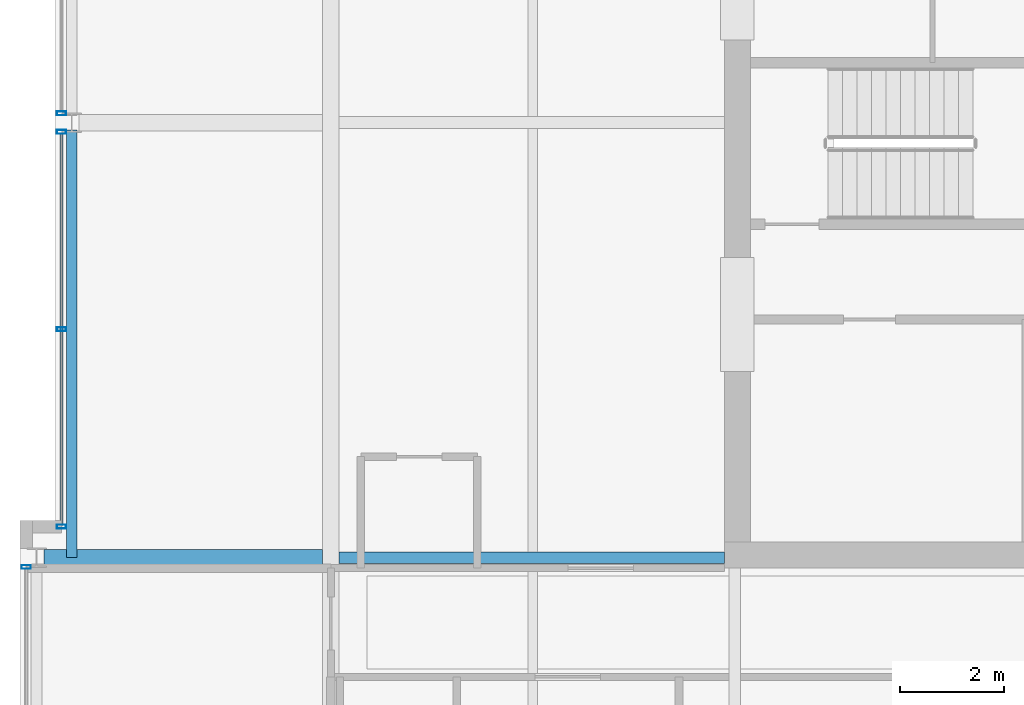
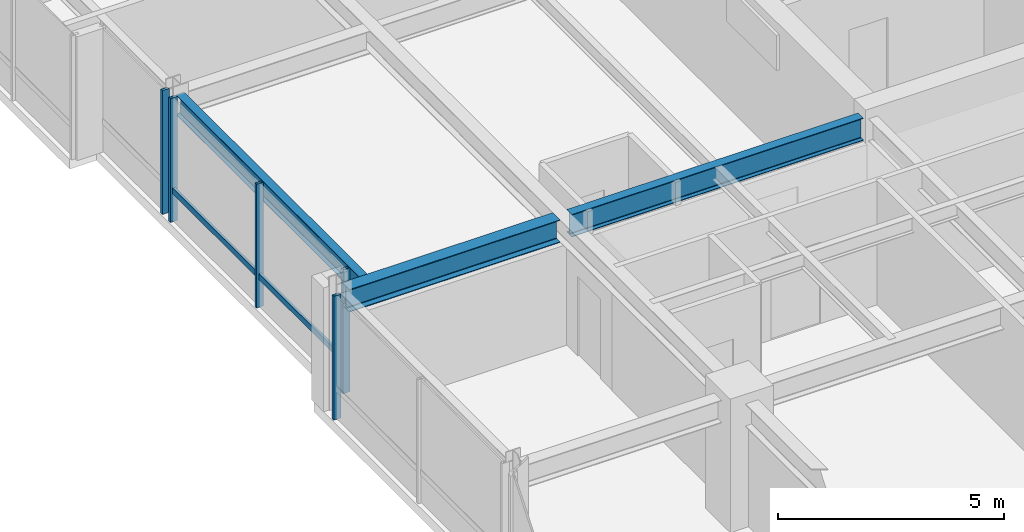
# One storey, part 10 of 31: 6 members, 3 beams, 3 elements without a shape of their own.
"""IFC4 building model written with IfcOpenShell, lengths in metres."""

from ifc_helpers import new_model, si_unit, direction, frame, origin, origin_2d, place, context, subcontext, project, spatial, hollow_rectangle, i_section, extrude, material, layer, layer_set, material_profile, profile_set, type_object, element, aggregate, save


model = new_model("IFC4")

# Units and contexts
model_context = context("Model", 3, precision=1e-05, world=origin(), true_north=direction((0.0, 1.0)))
body_context = subcontext(model_context, "Body", "Model", "MODEL_VIEW")
ifc_project = project(units=[si_unit("LENGTHUNIT", "METRE"), si_unit("AREAUNIT", "SQUARE_METRE"), si_unit("VOLUMEUNIT", "CUBIC_METRE"), si_unit("PLANEANGLEUNIT", "RADIAN"), si_unit("MASSUNIT", "GRAM", prefix="KILO")], contexts=[model_context])

# Site, building, storey
site_placement = place(None, origin())
site = spatial("IfcSite", under=ifc_project, at=site_placement, CompositionType="ELEMENT")
building_placement = place(site_placement, origin())
building = spatial("IfcBuilding", under=site, at=building_placement, Name="Drelvath Grand Hotel", CompositionType="ELEMENT")
storey_placement = place(building_placement, frame((0.0, 0.0, 244.699951171875)))
storey = spatial("IfcBuildingStorey", under=building, at=storey_placement, Name="L64", CompositionType="ELEMENT", Elevation=244.699951171875)

# Curtain wall, member
ifc_material_1 = material(Name="Platinum-Mist Anodised Aluminium Frame", Category="aluminium")
ifc_layer = layer(ifc_material_1, 0.199951171875)
ifc_layer_set = layer_set([ifc_layer], Name="Platinum-Mist Anodised Aluminium Frame")
curtain_wall_type = type_object("IfcCurtainWallType", Name="Stick Curtain Wall CW-05 Platinum Mist High-Rise", PredefinedType="NOTDEFINED", material=ifc_layer_set)
curtain_wall_1_placement = place(storey_placement, origin())
curtain_wall_1 = element("IfcCurtainWall", 1, at=curtain_wall_1_placement, inside=storey, type_object=curtain_wall_type, Name="L64 CW-05 Curtain Wall CW05-L64-WM1", PredefinedType="NOTDEFINED")
ifc_material_profile_1 = material_profile(ifc_material_1, hollow_rectangle(XDim=0.06494140625, YDim=0.159912109375, WallThickness=0.00390625, at=origin_2d()), Name="HSS160X65X4")
ifc_profile_set_1 = profile_set([ifc_material_profile_1], Name="Platinum-Mist Anodised Aluminium Frame")
member_type_1 = type_object("IfcMemberType", Name="Curtain Wall Horizontal Transom CW-05 HSS160X65X4", PredefinedType="USERDEFINED", material=ifc_profile_set_1)
member_1_placement = place(storey_placement, frame((-21.39990234375, 19.239990234375, 0.8349609375), z_axis=(0.0, 1.0, 0.0), x_axis=(-1.0, 0.0, 0.0)))
member_1 = element("IfcMember", 2, at=member_1_placement, type_object=member_type_1, Name="CW05-L64-WM1 Sill Transom", ObjectType="TRANSOM", PredefinedType="USERDEFINED", context=body_context, shape_type="SweptSolid", body=[
    extrude(hollow_rectangle(XDim=0.06494140625, YDim=0.159912109375, WallThickness=0.00390625, at=origin_2d()), origin(), (0.0, 0.0, 1.0), 7.541748046875),
])

curtain_wall_2_placement = place(storey_placement, origin())
curtain_wall_2 = element("IfcCurtainWall", 3, at=curtain_wall_2_placement, inside=storey, type_object=curtain_wall_type, Name="L64 CW-05 Curtain Wall CW05-L64-WS2", PredefinedType="NOTDEFINED")
ifc_material_profile_2 = material_profile(ifc_material_1, hollow_rectangle(XDim=0.074951171875, YDim=0.179931640625, WallThickness=0.0048828125, at=origin_2d()), Name="HSS180X75X5")
ifc_profile_set_2 = profile_set([ifc_material_profile_2], Name="Platinum-Mist Anodised Aluminium Frame")
member_type_2 = type_object("IfcMemberType", Name="Curtain Wall Vertical Mullion CW-05 HSS180X75X5", PredefinedType="MULLION", material=ifc_profile_set_2)
member_2_placement = place(storey_placement, frame((-22.080078125, 18.421875, 0.0), z_axis=(0.0, 0.0, 1.0), x_axis=(0.0, 1.0, 0.0)))
member_2 = element("IfcMember", 4, at=member_2_placement, type_object=member_type_2, Name="CW05-L64-WS2 Mullion 3", PredefinedType="MULLION", context=body_context, shape_type="SweptSolid", body=[
    extrude(hollow_rectangle(XDim=0.074951171875, YDim=0.179931640625, WallThickness=0.0048828125, at=origin_2d()), origin(), (0.0, 0.0, 1.0), 3.340087890625),
])
aggregate(curtain_wall_2, [member_2])

# Member
member_3_placement = place(storey_placement, frame((-21.39990234375, 19.199951171875, 0.0), z_axis=(0.0, 0.0, 1.0), x_axis=(0.0, 1.0, 0.0)))
member_3 = element("IfcMember", 5, at=member_3_placement, type_object=member_type_2, Name="CW05-L64-WM1 Mullion 1", PredefinedType="MULLION", context=body_context, shape_type="SweptSolid", body=[
    extrude(hollow_rectangle(XDim=0.074951171875, YDim=0.179931640625, WallThickness=0.0048828125, at=origin_2d()), origin(), (0.0, 0.0, 1.0), 3.340087890625),
])

member_4_placement = place(storey_placement, frame((-21.39990234375, 23.010986328125, 0.0), z_axis=(0.0, 0.0, 1.0), x_axis=(0.0, 1.0, 0.0)))
member_4 = element("IfcMember", 6, at=member_4_placement, type_object=member_type_2, Name="CW05-L64-WM1 Mullion 2", PredefinedType="MULLION", context=body_context, shape_type="SweptSolid", body=[
    extrude(hollow_rectangle(XDim=0.074951171875, YDim=0.179931640625, WallThickness=0.0048828125, at=origin_2d()), origin(), (0.0, 0.0, 1.0), 3.340087890625),
])

member_5_placement = place(storey_placement, frame((-21.39990234375, 26.82177734375, 0.0), z_axis=(0.0, 0.0, 1.0), x_axis=(0.0, 1.0, 0.0)))
member_5 = element("IfcMember", 7, at=member_5_placement, type_object=member_type_2, Name="CW05-L64-WM1 Mullion 3", PredefinedType="MULLION", context=body_context, shape_type="SweptSolid", body=[
    extrude(hollow_rectangle(XDim=0.074951171875, YDim=0.179931640625, WallThickness=0.0048828125, at=origin_2d()), origin(), (0.0, 0.0, 1.0), 3.340087890625),
])

aggregate(curtain_wall_1, [member_3, member_4, member_5, member_1])

# Curtain wall, member
curtain_wall_3_placement = place(storey_placement, origin())
curtain_wall_3 = element("IfcCurtainWall", 8, at=curtain_wall_3_placement, inside=storey, type_object=curtain_wall_type, Name="L64 CW-05 Curtain Wall CW05-L64-WM2", PredefinedType="NOTDEFINED")
member_6_placement = place(storey_placement, frame((-21.39990234375, 27.17822265625, 0.0), z_axis=(0.0, 0.0, 1.0), x_axis=(0.0, 1.0, 0.0)))
member_6 = element("IfcMember", 9, at=member_6_placement, type_object=member_type_2, Name="CW05-L64-WM2 Mullion 1", PredefinedType="MULLION", context=body_context, shape_type="SweptSolid", body=[
    extrude(hollow_rectangle(XDim=0.074951171875, YDim=0.179931640625, WallThickness=0.0048828125, at=origin_2d()), origin(), (0.0, 0.0, 1.0), 3.340087890625),
])
aggregate(curtain_wall_3, [member_6])

# Beams
ifc_material_2 = material(Name="Steel ASTM A992 Gr 50", Category="steel")
ifc_material_profile_3 = material_profile(ifc_material_2, i_section(OverallWidth=0.210205078125, OverallDepth=0.53662109375, WebThickness=0.010986328125, FlangeThickness=0.017333984375, FilletRadius=0.01806640625, at=origin_2d()), Name="W21X68")
ifc_profile_set_3 = profile_set([ifc_material_profile_3], Name="Steel ASTM A992 Gr 50")
beam_type_1 = type_object("IfcBeamType", Name="Perimeter Spandrel Beam W21X68", PredefinedType="SPANDREL", material=ifc_profile_set_3)
beam_1_placement = place(storey_placement, frame((-21.199951171875, 18.60009765625, 3.071533203125), z_axis=(0.0, 1.0, 0.0), x_axis=(-1.0, 0.0, 0.0)))
element("IfcBeam", 10, at=beam_1_placement, inside=storey, type_object=beam_type_1, Name="L64 Spandrel West Mid S", PredefinedType="SPANDREL", context=body_context, shape_type="SweptSolid", body=[
    extrude(i_section(OverallWidth=0.210205078125, OverallDepth=0.53662109375, WebThickness=0.010986328125, FlangeThickness=0.017333984375, FilletRadius=0.01806640625, at=origin_2d()), origin(), (0.0, 0.0, 1.0), 8.260009765625),
])
ifc_material_profile_4 = material_profile(ifc_material_2, i_section(OverallWidth=0.323974609375, OverallDepth=0.611083984375, WebThickness=0.0126953125, FlangeThickness=0.01904296875, FilletRadius=0.02197265625, at=origin_2d()), Name="W24X104")
ifc_profile_set_4 = profile_set([ifc_material_profile_4], Name="Steel ASTM A992 Gr 50")
beam_type_2 = type_object("IfcBeamType", Name="Primary Floor Girder W24X104", PredefinedType="BEAM", material=ifc_profile_set_4)
beam_2_placement = place(storey_placement, frame((-21.739990234375, 18.60009765625, 3.034423828125), z_axis=(1.0, 0.0, 0.0), x_axis=(0.0, 1.0, 0.0)))
element("IfcBeam", 11, at=beam_2_placement, inside=storey, type_object=beam_type_2, Name="L64 West Wing Girder D", PredefinedType="BEAM", context=body_context, shape_type="SweptSolid", body=[
    extrude(i_section(OverallWidth=0.323974609375, OverallDepth=0.611083984375, WebThickness=0.0126953125, FlangeThickness=0.01904296875, FilletRadius=0.02197265625, at=origin_2d()), origin(), (0.0, 0.0, 1.0), 5.3779296875),
])
ifc_material_profile_5 = material_profile(ifc_material_2, i_section(OverallWidth=0.228271484375, OverallDepth=0.607666015625, WebThickness=0.01123046875, FlangeThickness=0.017333984375, FilletRadius=0.02001953125, at=origin_2d()), Name="W24X76")
ifc_profile_set_5 = profile_set([ifc_material_profile_5], Name="Steel ASTM A992 Gr 50")
beam_type_3 = type_object("IfcBeamType", Name="Primary Floor Girder W24X76", PredefinedType="BEAM", material=ifc_profile_set_5)
beam_3_placement = place(storey_placement, frame((-16.0380859375, 18.60009765625, 3.0361328125), z_axis=(1.0, 0.0, 0.0), x_axis=(0.0, 1.0, 0.0)))
element("IfcBeam", 12, at=beam_3_placement, inside=storey, type_object=beam_type_3, Name="L64 West Core Tie D", PredefinedType="BEAM", context=body_context, shape_type="SweptSolid", body=[
    extrude(i_section(OverallWidth=0.228271484375, OverallDepth=0.607666015625, WebThickness=0.01123046875, FlangeThickness=0.017333984375, FilletRadius=0.02001953125, at=origin_2d()), origin(), (0.0, 0.0, 1.0), 7.43798828125),
])

save(model, "model.ifc")
